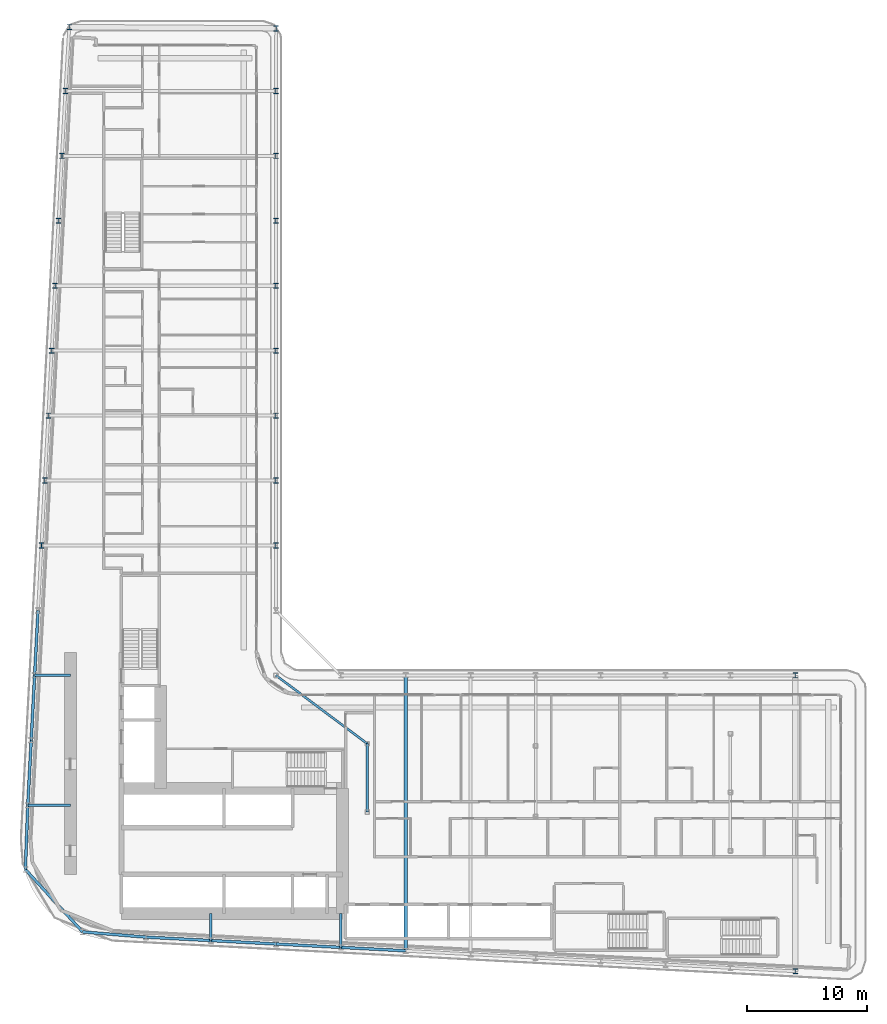
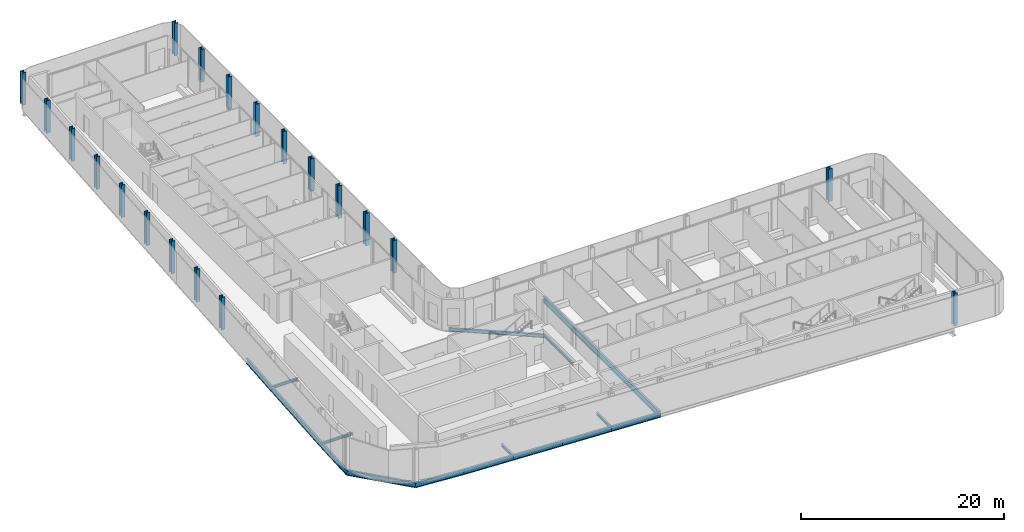
# One storey, part 3 of 27: 20 columns, 17 beams.
"""IFC4 building model written with IfcOpenShell, lengths in metres."""

from ifc_helpers import new_model, si_unit, direction, frame, origin, origin_2d, place, context, subcontext, project, spatial, i_section, extrude, material, material_profile, profile_set, type_object, element, save


model = new_model("IFC4")

# Units and contexts
model_context = context("Model", 3, precision=1e-05, world=origin(), true_north=direction((0.0, 1.0)))
body_context = subcontext(model_context, "Body", "Model", "MODEL_VIEW")
ifc_project = project(units=[si_unit("LENGTHUNIT", "METRE"), si_unit("AREAUNIT", "SQUARE_METRE"), si_unit("VOLUMEUNIT", "CUBIC_METRE"), si_unit("PLANEANGLEUNIT", "RADIAN"), si_unit("MASSUNIT", "GRAM", prefix="KILO")], contexts=[model_context])

# Site, building, storey
site_placement = place(None, origin())
site = spatial("IfcSite", under=ifc_project, at=site_placement, CompositionType="ELEMENT")
building_placement = place(site_placement, origin())
building = spatial("IfcBuilding", under=site, at=building_placement, Name="Kheshtan School and Residences Tower", CompositionType="ELEMENT")
storey_placement = place(building_placement, frame((0.0, 0.0, 46.10009765625)))
storey = spatial("IfcBuildingStorey", under=building, at=storey_placement, Name="L10", CompositionType="ELEMENT", Elevation=46.10009765625)

# Columns
ifc_material = material(Name="Steel ASTM A992 Grade 50", Category="steel")
ifc_material_profile_1 = material_profile(ifc_material, i_section(OverallWidth=0.424072265625, OverallDepth=0.47412109375, WebThickness=0.047607421875, FlangeThickness=0.0771484375, FilletRadius=0.01416015625, at=origin_2d()), Name="W360x634")
ifc_profile_set_1 = profile_set([ifc_material_profile_1], Name="Steel ASTM A992 Grade 50")
column_type = type_object("IfcColumnType", Name="Column C1 W360x634 ASTM A992 Grade 50", PredefinedType="COLUMN", material=ifc_profile_set_1)
for number, where, z_axis, x_axis, name in (
    (1, (90.800048828125, 20.989990234375, 0.0), (0.0, 0.0, 1.0), (1.0, 0.0, 0.0), "Column C006"),
    (2, (90.800048828125, 45.60009765625, 0.0), (0.0, 0.0, 1.0), (1.0, 0.0, 0.0), "Column C068"),
    (3, (28.10595703125, 56.39990234375, 0.0), (0.0, 0.0, 1.0), (1.0, 0.0, 0.0), "Column C080"),
    (4, (47.60009765625, 56.39990234375, 0.0), (0.0, 0.0, 1.0), (1.0, 0.0, 0.0), "Column C081"),
    (5, (28.389892578125, 61.800048828125, 0.0), (0.0, 0.0, 1.0), (1.0, 0.0, 0.0), "Column C082"),
    (6, (47.60009765625, 61.800048828125, 0.0), (0.0, 0.0, 1.0), (1.0, 0.0, 0.0), "Column C083"),
    (7, (28.674072265625, 67.199951171875, 0.0), (0.0, 0.0, 1.0), (1.0, 0.0, 0.0), "Column C084"),
    (8, (47.60009765625, 67.199951171875, 0.0), (0.0, 0.0, 1.0), (1.0, 0.0, 0.0), "Column C085"),
    (9, (28.9580078125, 72.60009765625, 0.0), (0.0, 0.0, 1.0), (1.0, 0.0, 0.0), "Column C086"),
    (10, (47.60009765625, 72.60009765625, 0.0), (0.0, 0.0, 1.0), (1.0, 0.0, 0.0), "Column C087"),
    (11, (29.242919921875, 78.0, 0.0), (0.0, 0.0, 1.0), (1.0, 0.0, 0.0), "Column C088"),
    (12, (47.60009765625, 78.0, 0.0), (0.0, 0.0, 1.0), (1.0, 0.0, 0.0), "Column C089"),
    (13, (29.527099609375, 83.39990234375, 0.0), (0.0, 0.0, 1.0), (1.0, 0.0, 0.0), "Column C090"),
    (14, (47.60009765625, 83.39990234375, 0.0), (0.0, 0.0, 1.0), (1.0, 0.0, 0.0), "Column C091"),
    (15, (29.81103515625, 88.800048828125, 0.0), (0.0, 0.0, 1.0), (1.0, 0.0, 0.0), "Column C098"),
    (16, (47.60009765625, 88.800048828125, 0.0), (0.0, 0.0, 1.0), (1.0, 0.0, 0.0), "Column C099"),
    (17, (30.094970703125, 94.199951171875, 0.0), (0.0, 0.0, 1.0), (1.0, 0.0, 0.0), "Column C106"),
    (18, (47.60009765625, 94.199951171875, 0.0), (0.0, 0.0, 1.0), (1.0, 0.0, 0.0), "Column C107"),
    (19, (47.6220703125, 99.40087890625, 0.0), (0.0, 0.0, 1.0), (1.0, 0.0, 0.0), "Column C111"),
    (20, (30.4208984375, 99.509033203125, 0.0), (0.0, 0.0, 1.0), (1.0, 0.0, 0.0), "Column C120"),
):
    element("IfcColumn", number, at=place(storey_placement, frame(where, z_axis=z_axis, x_axis=x_axis)), inside=storey, type_object=column_type, Name=name, PredefinedType="COLUMN", context=body_context, shape_type="SweptSolid", body=[
        extrude(i_section(OverallWidth=0.424072265625, OverallDepth=0.47412109375, WebThickness=0.047607421875, FlangeThickness=0.0771484375, FilletRadius=0.01416015625, at=origin_2d()), origin(), (0.0, 0.0, 1.0), 3.89990234375),
    ])

# Beams
ifc_material_profile_2 = material_profile(ifc_material, i_section(OverallWidth=0.202880859375, OverallDepth=0.302978515625, WebThickness=0.007568359375, FlangeThickness=0.01318359375, FilletRadius=0.009033203125, at=origin_2d()), Name="W310x60")
ifc_profile_set_2 = profile_set([ifc_material_profile_2], Name="Steel ASTM A992 Grade 50")
beam_type_1 = type_object("IfcBeamType", Name="Beam FB1 W310x60 ASTM A992 Grade 50", PredefinedType="BEAM", material=ifc_profile_set_2)
beam_1_placement = place(storey_placement, frame((53.0, 22.97998046875, -0.301513671875), z_axis=(0.0, 1.0, 0.0), x_axis=(-1.0, 0.0, 0.0)))
element("IfcBeam", 21, at=beam_1_placement, inside=storey, type_object=beam_type_1, Name="Floor beam C019", PredefinedType="BEAM", context=body_context, shape_type="SweptSolid", body=[
    extrude(i_section(OverallWidth=0.202880859375, OverallDepth=0.302978515625, WebThickness=0.007568359375, FlangeThickness=0.01318359375, FilletRadius=0.009033203125, at=origin_2d()), origin(), (0.0, 0.0, 1.0), 2.820068359375),
])
beam_2_placement = place(storey_placement, frame((42.199951171875, 23.548095703125, -0.301513671875), z_axis=(0.0, 1.0, 0.0), x_axis=(-1.0, 0.0, 0.0)))
element("IfcBeam", 22, at=beam_2_placement, inside=storey, type_object=beam_type_1, Name="Floor beam C021", PredefinedType="BEAM", context=body_context, shape_type="SweptSolid", body=[
    extrude(i_section(OverallWidth=0.202880859375, OverallDepth=0.302978515625, WebThickness=0.007568359375, FlangeThickness=0.01318359375, FilletRadius=0.009033203125, at=origin_2d()), origin(), (0.0, 0.0, 1.0), 2.251953125),
])
beam_3_placement = place(storey_placement, frame((26.968994140625, 34.800048828125, -0.301513671875), z_axis=(1.0, 0.0, 0.0), x_axis=(0.0, 1.0, 0.0)))
element("IfcBeam", 23, at=beam_3_placement, inside=storey, type_object=beam_type_1, Name="Floor beam C052", PredefinedType="BEAM", context=body_context, shape_type="SweptSolid", body=[
    extrude(i_section(OverallWidth=0.202880859375, OverallDepth=0.302978515625, WebThickness=0.007568359375, FlangeThickness=0.01318359375, FilletRadius=0.009033203125, at=origin_2d()), origin(), (0.0, 0.0, 1.0), 3.531005859375),
])
beam_4_placement = place(storey_placement, frame((27.537109375, 45.60009765625, -0.301513671875), z_axis=(1.0, 0.0, 0.0), x_axis=(0.0, 1.0, 0.0)))
element("IfcBeam", 24, at=beam_4_placement, inside=storey, type_object=beam_type_1, Name="Floor beam C059", PredefinedType="BEAM", context=body_context, shape_type="SweptSolid", body=[
    extrude(i_section(OverallWidth=0.202880859375, OverallDepth=0.302978515625, WebThickness=0.007568359375, FlangeThickness=0.01318359375, FilletRadius=0.009033203125, at=origin_2d()), origin(), (0.0, 0.0, 1.0), 2.962890625),
])
beam_5_placement = place(storey_placement, frame((55.199951171875, 34.23193359375, -0.301513671875), z_axis=(0.0, 1.0, 0.0), x_axis=(-1.0, 0.0, 0.0)))
element("IfcBeam", 25, at=beam_5_placement, inside=storey, type_object=beam_type_1, Name="Floor beam IC", PredefinedType="BEAM", context=body_context, shape_type="SweptSolid", body=[
    extrude(i_section(OverallWidth=0.202880859375, OverallDepth=0.302978515625, WebThickness=0.007568359375, FlangeThickness=0.01318359375, FilletRadius=0.009033203125, at=origin_2d()), origin(), (0.0, 0.0, 1.0), 5.68408203125),
])
ifc_material_profile_3 = material_profile(ifc_material, i_section(OverallWidth=0.180908203125, OverallDepth=0.4169921875, WebThickness=0.010986328125, FlangeThickness=0.018310546875, FilletRadius=0.012451171875, at=origin_2d()), Name="W410x85")
ifc_profile_set_3 = profile_set([ifc_material_profile_3], Name="Steel ASTM A992 Grade 50")
beam_type_2 = type_object("IfcBeamType", Name="Beam FB3 W410x85 ASTM A992 Grade 50", PredefinedType="BEAM", material=ifc_profile_set_3)
beam_6_placement = place(storey_placement, frame((47.60009765625, 45.60009765625, -0.358642578125), z_axis=(0.800798828004, -0.598933416222, 0.0), x_axis=(0.598933416222, 0.800798828004, 0.0)))
element("IfcBeam", 26, at=beam_6_placement, inside=storey, type_object=beam_type_2, Name="Floor beam IC", PredefinedType="BEAM", context=body_context, shape_type="SweptSolid", body=[
    extrude(i_section(OverallWidth=0.180908203125, OverallDepth=0.4169921875, WebThickness=0.010986328125, FlangeThickness=0.018310546875, FilletRadius=0.012451171875, at=origin_2d()), origin(), (0.0, 0.0, 1.0), 9.490234375),
])
ifc_material_profile_4 = material_profile(ifc_material, i_section(OverallWidth=0.2529296875, OverallDepth=0.677978515625, WebThickness=0.01171875, FlangeThickness=0.016357421875, FilletRadius=0.0146484375, at=origin_2d()), Name="W690x125")
ifc_profile_set_4 = profile_set([ifc_material_profile_4], Name="Steel ASTM A992 Grade 50")
beam_type_3 = type_object("IfcBeamType", Name="Beam FB6 W690x125 ASTM A992 Grade 50", PredefinedType="BEAM", material=ifc_profile_set_4)
beam_7_placement = place(storey_placement, frame((58.39990234375, 45.60009765625, -0.489013671875), z_axis=(0.0, -1.0, 0.0), x_axis=(1.0, 0.0, 0.0)))
element("IfcBeam", 27, at=beam_7_placement, inside=storey, type_object=beam_type_3, Name="Floor beam C062", PredefinedType="BEAM", context=body_context, shape_type="SweptSolid", body=[
    extrude(i_section(OverallWidth=0.2529296875, OverallDepth=0.677978515625, WebThickness=0.01171875, FlangeThickness=0.016357421875, FilletRadius=0.0146484375, at=origin_2d()), origin(), (0.0, 0.0, 1.0), 22.905029296875),
])
ifc_material_profile_5 = material_profile(ifc_material, i_section(OverallWidth=0.22998046875, OverallDepth=0.616943359375, WebThickness=0.01318359375, FlangeThickness=0.022216796875, FilletRadius=0.0185546875, at=origin_2d()), Name="W610x140")
ifc_profile_set_5 = profile_set([ifc_material_profile_5], Name="Steel ASTM A992 Grade 50")
beam_type_4 = type_object("IfcBeamType", Name="Beam SP1 W610x140 ASTM A992 Grade 50", PredefinedType="BEAM", material=ifc_profile_set_5)
for number, where, z_axis, x_axis, name in (
    (28, (58.39990234375, 22.695068359375, -0.45849609375), (-0.998610961136, 0.052689166816, 0.0), (-0.052689166816, -0.998610961136, 0.0), "Spandrel beam C018-C019"),
    (29, (53.0, 22.97998046875, -0.45849609375), (-0.998620447272, 0.05250906864, 0.0), (-0.05250906864, -0.998620447272, 0.0), "Spandrel beam C019-C020"),
):
    element("IfcBeam", number, at=place(storey_placement, frame(where, z_axis=z_axis, x_axis=x_axis)), inside=storey, type_object=beam_type_4, Name=name, PredefinedType="BEAM", context=body_context, shape_type="SweptSolid", body=[
        extrude(i_section(OverallWidth=0.22998046875, OverallDepth=0.616943359375, WebThickness=0.01318359375, FlangeThickness=0.022216796875, FilletRadius=0.0185546875, at=origin_2d()), origin(), (0.0, 0.0, 1.0), 5.407470703125),
    ])
beam_8_placement = place(storey_placement, frame((47.60009765625, 23.263916015625, -0.45849609375), z_axis=(-0.998618203458, 0.052551724256, 0.0), x_axis=(-0.052551724256, -0.998618203458, 0.0)))
element("IfcBeam", 30, at=beam_8_placement, inside=storey, type_object=beam_type_4, Name="Spandrel beam C020-C021", PredefinedType="BEAM", context=body_context, shape_type="SweptSolid", body=[
    extrude(i_section(OverallWidth=0.22998046875, OverallDepth=0.616943359375, WebThickness=0.01318359375, FlangeThickness=0.022216796875, FilletRadius=0.0185546875, at=origin_2d()), origin(), (0.0, 0.0, 1.0), 5.40771484375),
])
beam_9_placement = place(storey_placement, frame((42.199951171875, 23.548095703125, -0.45849609375), z_axis=(-0.998620447272, 0.05250906864, 0.0), x_axis=(-0.05250906864, -0.998620447272, 0.0)))
element("IfcBeam", 31, at=beam_9_placement, inside=storey, type_object=beam_type_4, Name="Spandrel beam C021-C022", PredefinedType="BEAM", context=body_context, shape_type="SweptSolid", body=[
    extrude(i_section(OverallWidth=0.22998046875, OverallDepth=0.616943359375, WebThickness=0.01318359375, FlangeThickness=0.022216796875, FilletRadius=0.0185546875, at=origin_2d()), origin(), (0.0, 0.0, 1.0), 5.407470703125),
])
beam_10_placement = place(storey_placement, frame((36.800048828125, 23.83203125, -0.45849609375), z_axis=(-0.996622413395, 0.082120430578, 0.0), x_axis=(-0.082120430578, -0.996622413395, 0.0)))
element("IfcBeam", 32, at=beam_10_placement, inside=storey, type_object=beam_type_4, Name="Spandrel beam C022-C026", PredefinedType="BEAM", context=body_context, shape_type="SweptSolid", body=[
    extrude(i_section(OverallWidth=0.22998046875, OverallDepth=0.616943359375, WebThickness=0.01318359375, FlangeThickness=0.022216796875, FilletRadius=0.0185546875, at=origin_2d()), origin(), (0.0, 0.0, 1.0), 5.285888671875),
])
beam_11_placement = place(storey_placement, frame((31.531982421875, 24.26611328125, -0.45849609375), z_axis=(-0.676166826568, 0.736748547775, 0.0), x_axis=(-0.736748547775, -0.676166826568, 0.0)))
element("IfcBeam", 33, at=beam_11_placement, inside=storey, type_object=beam_type_4, Name="Spandrel beam C026-C039", PredefinedType="BEAM", context=body_context, shape_type="SweptSolid", body=[
    extrude(i_section(OverallWidth=0.22998046875, OverallDepth=0.616943359375, WebThickness=0.01318359375, FlangeThickness=0.022216796875, FilletRadius=0.0185546875, at=origin_2d()), origin(), (0.0, 0.0, 1.0), 7.04833984375),
])
beam_12_placement = place(storey_placement, frame((26.76611328125, 29.458984375, -0.45849609375), z_axis=(0.037957724389, 0.999279345908, 0.0), x_axis=(-0.999279345908, 0.037957724389, 0.0)))
element("IfcBeam", 34, at=beam_12_placement, inside=storey, type_object=beam_type_4, Name="Spandrel beam C039-C052", PredefinedType="BEAM", context=body_context, shape_type="SweptSolid", body=[
    extrude(i_section(OverallWidth=0.22998046875, OverallDepth=0.616943359375, WebThickness=0.01318359375, FlangeThickness=0.022216796875, FilletRadius=0.0185546875, at=origin_2d()), origin(), (0.0, 0.0, 1.0), 5.344970703125),
])
beam_13_placement = place(storey_placement, frame((26.968994140625, 34.800048828125, -0.45849609375), z_axis=(0.05250906864, 0.998620447272, 0.0), x_axis=(-0.998620447272, 0.05250906864, 0.0)))
element("IfcBeam", 35, at=beam_13_placement, inside=storey, type_object=beam_type_4, Name="Spandrel beam C052-C056", PredefinedType="BEAM", context=body_context, shape_type="SweptSolid", body=[
    extrude(i_section(OverallWidth=0.22998046875, OverallDepth=0.616943359375, WebThickness=0.01318359375, FlangeThickness=0.022216796875, FilletRadius=0.0185546875, at=origin_2d()), origin(), (0.0, 0.0, 1.0), 5.407470703125),
])
beam_14_placement = place(storey_placement, frame((27.2529296875, 40.199951171875, -0.45849609375), z_axis=(0.052551724256, 0.998618203458, 0.0), x_axis=(-0.998618203458, 0.052551724256, 0.0)))
element("IfcBeam", 36, at=beam_14_placement, inside=storey, type_object=beam_type_4, Name="Spandrel beam C056-C059", PredefinedType="BEAM", context=body_context, shape_type="SweptSolid", body=[
    extrude(i_section(OverallWidth=0.22998046875, OverallDepth=0.616943359375, WebThickness=0.01318359375, FlangeThickness=0.022216796875, FilletRadius=0.0185546875, at=origin_2d()), origin(), (0.0, 0.0, 1.0), 5.40771484375),
])
beam_15_placement = place(storey_placement, frame((27.537109375, 45.60009765625, -0.45849609375), z_axis=(0.052689166816, 0.998610961136, 0.0), x_axis=(-0.998610961136, 0.052689166816, 0.0)))
element("IfcBeam", 37, at=beam_15_placement, inside=storey, type_object=beam_type_4, Name="Spandrel beam C059-C078", PredefinedType="BEAM", context=body_context, shape_type="SweptSolid", body=[
    extrude(i_section(OverallWidth=0.22998046875, OverallDepth=0.616943359375, WebThickness=0.01318359375, FlangeThickness=0.022216796875, FilletRadius=0.0185546875, at=origin_2d()), origin(), (0.0, 0.0, 1.0), 5.407470703125),
])

save(model, "model.ifc")
